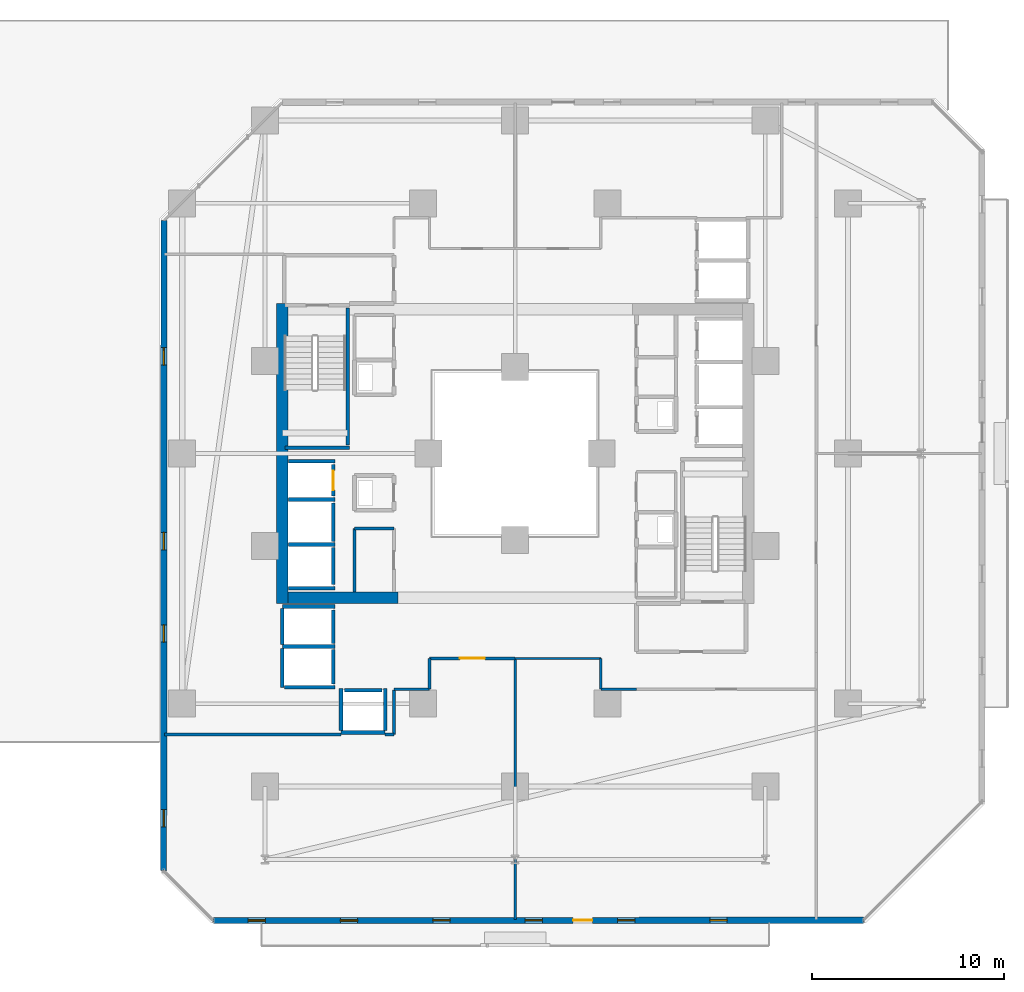
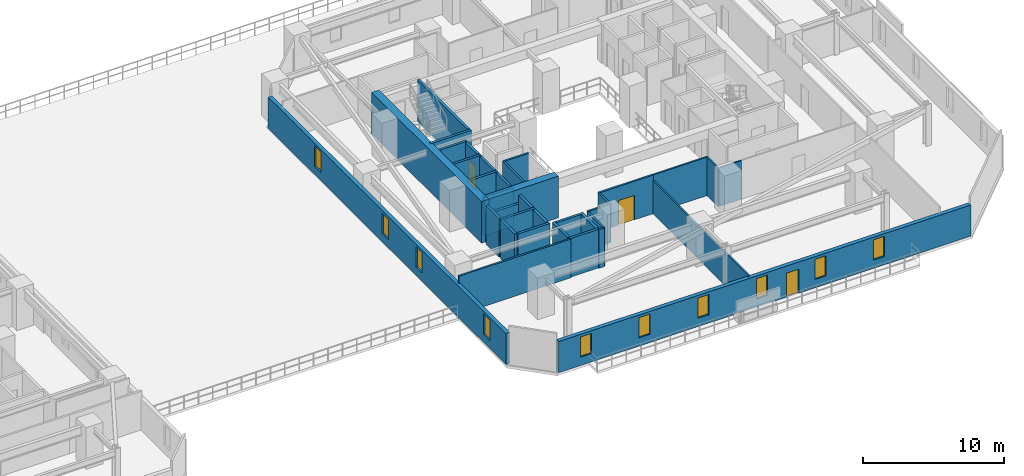
# One storey, part 22 of 34: 36 walls, 10 windows, 3 doors, 13 openings.
"""IFC4 building model written with IfcOpenShell, lengths in metres."""

from ifc_helpers import new_model, si_unit, direction, frame, frame_2d, origin, place, context, subcontext, project, spatial, rectangle, extrude, material, layer, layer_set, type_object, element, fill, save


model = new_model("IFC4")

# Units and contexts
model_context = context("Model", 3, precision=1e-05, world=origin(), true_north=direction((0.0, 1.0)))
body_context = subcontext(model_context, "Body", "Model", "MODEL_VIEW")
ifc_project = project(units=[si_unit("LENGTHUNIT", "METRE"), si_unit("AREAUNIT", "SQUARE_METRE"), si_unit("VOLUMEUNIT", "CUBIC_METRE"), si_unit("PLANEANGLEUNIT", "RADIAN"), si_unit("MASSUNIT", "GRAM", prefix="KILO")], contexts=[model_context])

# Site, building, storey
site_placement = place(None, origin())
site = spatial("IfcSite", under=ifc_project, at=site_placement, CompositionType="ELEMENT")
building_placement = place(site_placement, origin())
building = spatial("IfcBuilding", under=site, at=building_placement, Name="Thornwick Lancets Civic Towers", CompositionType="ELEMENT")
storey_placement = place(building_placement, frame((0.0, 0.0, 27.89990234375)))
storey = spatial("IfcBuildingStorey", under=building, at=storey_placement, Name="L06", CompositionType="ELEMENT", Elevation=27.89990234375)

# Wall, opening, door
ifc_material_1 = material(Name="Concrete blockwork C40/50", Category="masonry")
ifc_layer_1 = layer(ifc_material_1, 0.199951171875, Name="Concrete blockwork C40/50")
ifc_layer_set_1 = layer_set([ifc_layer_1], Name="Concrete blockwork C40/50")
wall_type_1 = type_object("IfcWallType", Name="WALL_COMP_200", PredefinedType="STANDARD", material=ifc_layer_set_1)
wall_1_placement = place(storey_placement, frame((79.050048828125, 24.780029296875, 0.0), z_axis=(0.0, 0.0, 1.0), x_axis=(0.0, 1.0, 0.0)))
wall_1 = element("IfcWall", 1, at=wall_1_placement, inside=storey, type_object=wall_type_1, Name="L06 Hoistway Front Wall FL-B2", PredefinedType="STANDARD", context=body_context, shape_type="SweptSolid", body=[
    extrude(rectangle(XDim=1.639892578125, YDim=0.199951171875, at=frame_2d((0.81982421875, 0.0))), origin(), (0.0, 0.0, 1.0), 3.340087890625),
])
opening_1_placement = place(wall_1_placement, frame((0.31005859375, 0.0, 0.0)))
opening_1 = element("IfcOpeningElement", 2, at=opening_1_placement, cuts=wall_1, Name="Opening LD-FL-B2", PredefinedType="OPENING", context=body_context, shape_type="SweptSolid", body=[
    extrude(rectangle(XDim=1.02001953125, YDim=2.06005859375, at=frame_2d((0.510009765625, 1.030029296875))), frame((0.0, 0.10986328125, 0.0), z_axis=(0.0, -1.0, 0.0), x_axis=(1.0, 0.0, 0.0)), (0.0, 0.0, 1.0), 0.219970703125),
])
ifc_material_2 = material(Name="Brushed bronze stainless steel", Category="steel")
door_type_1 = type_object("IfcDoorType", Name="DOOR_LIFT_SLIDE", OperationType="SLIDING_TO_LEFT", PredefinedType="DOOR", material=ifc_material_2)
door_1_placement = place(opening_1_placement, origin())
door_1 = element("IfcDoor", 3, at=door_1_placement, inside=storey, type_object=door_type_1, Name="L06 Sliding Lift Landing Door LD-FL-B2", OperationType="SLIDING_TO_LEFT", OverallHeight=2.06005859375, OverallWidth=1.02001953125, PredefinedType="DOOR", context=body_context, shape_type="SweptSolid", body=[
    extrude(rectangle(XDim=1.02001953125, YDim=2.06005859375, at=frame_2d((0.510009765625, 1.030029296875))), frame((0.0, 0.02490234375, 0.0), z_axis=(0.0, -1.0, 0.0), x_axis=(1.0, 0.0, 0.0)), (0.0, 0.0, 1.0), 0.050048828125),
])
fill(opening_1, door_1)

# Walls
wall_2_placement = place(storey_placement, frame((79.050048828125, 22.429931640625, 0.0), z_axis=(0.0, 0.0, 1.0), x_axis=(0.0, 1.0, 0.0)))
element("IfcWall", 4, at=wall_2_placement, inside=storey, type_object=wall_type_1, Name="L06 Hoistway Front Wall PL-BH2", PredefinedType="STANDARD", context=body_context, shape_type="SweptSolid", body=[
    extrude(rectangle(XDim=1.989990234375, YDim=0.199951171875, at=frame_2d((0.9951171875, 0.0))), origin(), (0.0, 0.0, 1.0), 3.340087890625),
])
wall_3_placement = place(storey_placement, frame((79.050048828125, 20.179931640625, 0.0), z_axis=(0.0, 0.0, 1.0), x_axis=(0.0, 1.0, 0.0)))
element("IfcWall", 5, at=wall_3_placement, inside=storey, type_object=wall_type_1, Name="L06 Hoistway Front Wall PL-BH3", PredefinedType="STANDARD", context=body_context, shape_type="SweptSolid", body=[
    extrude(rectangle(XDim=1.940185546875, YDim=0.199951171875, at=frame_2d((0.97021484375, 0.0))), origin(), (0.0, 0.0, 1.0), 3.340087890625),
])
wall_4_placement = place(storey_placement, frame((79.050048828125, 17.1298828125, 0.0), z_axis=(0.0, 0.0, 1.0), x_axis=(0.0, 1.0, 0.0)))
element("IfcWall", 6, at=wall_4_placement, inside=storey, type_object=wall_type_1, Name="L06 Hoistway Front Wall PL-BM1", PredefinedType="STANDARD", context=body_context, shape_type="SweptSolid", body=[
    extrude(rectangle(XDim=1.740234375, YDim=0.199951171875, at=frame_2d((0.8701171875, 0.0))), origin(), (0.0, 0.0, 1.0), 3.340087890625),
])
wall_5_placement = place(storey_placement, frame((79.050048828125, 15.030029296875, 0.0), z_axis=(0.0, 0.0, 1.0), x_axis=(0.0, 1.0, 0.0)))
element("IfcWall", 7, at=wall_5_placement, inside=storey, type_object=wall_type_1, Name="L06 Hoistway Front Wall PL-BM2", PredefinedType="STANDARD", context=body_context, shape_type="SweptSolid", body=[
    extrude(rectangle(XDim=1.7900390625, YDim=0.199951171875, at=frame_2d((0.89501953125, 0.0))), origin(), (0.0, 0.0, 1.0), 3.340087890625),
])
wall_6_placement = place(storey_placement, frame((79.6298828125, 14.699951171875, 0.0), z_axis=(0.0, 0.0, 1.0), x_axis=(1.0, 0.0, 0.0)))
element("IfcWall", 8, at=wall_6_placement, inside=storey, type_object=wall_type_1, Name="L06 Hoistway Front Wall PL-BM3", PredefinedType="STANDARD", context=body_context, shape_type="SweptSolid", body=[
    extrude(rectangle(XDim=1.940185546875, YDim=0.199951171875, at=frame_2d((0.97021484375, 0.0))), origin(), (0.0, 0.0, 1.0), 3.340087890625),
])
for number, where, z_axis, x_axis, name in (
    (9, (76.7119140625, 26.60009765625, 0.0), (0.0, 0.0, 1.0), (1.0, 0.0, 0.0), "L06 Hoistway Shaft Wall FL-B2 N"),
    (10, (76.7119140625, 24.60009765625, 0.0), (0.0, 0.0, 1.0), (1.0, 0.0, 0.0), "L06 Hoistway Shaft Wall FL-B2 S"),
    (11, (76.7119140625, 22.27490234375, 0.0), (0.0, 0.0, 1.0), (1.0, 0.0, 0.0), "L06 Hoistway Shaft Wall PL-BH2 S"),
    (12, (76.7119140625, 20.0, 0.0), (0.0, 0.0, 1.0), (1.0, 0.0, 0.0), "L06 Hoistway Shaft Wall PL-BH3 S"),
):
    element("IfcWall", number, at=place(storey_placement, frame(where, z_axis=z_axis, x_axis=x_axis)), inside=storey, type_object=wall_type_1, Name=name, PredefinedType="STANDARD", context=body_context, shape_type="SweptSolid", body=[
        extrude(rectangle(XDim=2.43603515625, YDim=0.199951171875, at=frame_2d((1.218017578125, 0.0))), origin(), (0.0, 0.0, 1.0), 3.340087890625),
    ])
wall_7_placement = place(storey_placement, frame((76.402099609375, 19.050048828125, 0.0), z_axis=(0.0, 0.0, 1.0), x_axis=(1.0, 0.0, 0.0)))
element("IfcWall", 13, at=wall_7_placement, inside=storey, type_object=wall_type_1, Name="L06 Hoistway Shaft Wall PL-BM1 N", PredefinedType="STANDARD", context=body_context, shape_type="SweptSolid", body=[
    extrude(rectangle(XDim=2.745849609375, YDim=0.199951171875, at=frame_2d((1.373046875, 0.0))), origin(), (0.0, 0.0, 1.0), 2.545166015625),
])
wall_8_placement = place(storey_placement, frame((76.402099609375, 16.97509765625, 0.0), z_axis=(0.0, 0.0, 1.0), x_axis=(1.0, 0.0, 0.0)))
element("IfcWall", 14, at=wall_8_placement, inside=storey, type_object=wall_type_1, Name="L06 Hoistway Shaft Wall PL-BM1 S", PredefinedType="STANDARD", context=body_context, shape_type="SweptSolid", body=[
    extrude(rectangle(XDim=2.745849609375, YDim=0.199951171875, at=frame_2d((1.373046875, 0.0))), origin(), (0.0, 0.0, 1.0), 3.340087890625),
])
wall_9_placement = place(storey_placement, frame((76.39990234375, 14.85205078125, 0.0), z_axis=(0.0, 0.0, 1.0), x_axis=(0.0, 1.0, 0.0)))
element("IfcWall", 15, at=wall_9_placement, inside=storey, type_object=wall_type_1, Name="L06 Hoistway Shaft Wall PL-BM1 W", PredefinedType="STANDARD", context=body_context, shape_type="SweptSolid", body=[
    extrude(rectangle(XDim=2.015869140625, YDim=0.199951171875, at=frame_2d((1.0078125, 0.0))), origin(), (0.0, 0.0, 1.0), 3.340087890625),
])
wall_10_placement = place(storey_placement, frame((76.39990234375, 17.08203125, 0.0), z_axis=(0.0, 0.0, 1.0), x_axis=(0.0, 1.0, 0.0)))
element("IfcWall", 16, at=wall_10_placement, inside=storey, type_object=wall_type_1, Name="L06 Hoistway Shaft Wall PL-BM1 W", PredefinedType="STANDARD", context=body_context, shape_type="SweptSolid", body=[
    extrude(rectangle(XDim=1.85595703125, YDim=0.199951171875, at=frame_2d((0.927978515625, 0.0))), origin(), (0.0, 0.0, 1.0), 3.340087890625),
])
wall_11_placement = place(storey_placement, frame((76.511962890625, 14.85009765625, 0.0), z_axis=(0.0, 0.0, 1.0), x_axis=(1.0, 0.0, 0.0)))
element("IfcWall", 17, at=wall_11_placement, inside=storey, type_object=wall_type_1, Name="L06 Hoistway Shaft Wall PL-BM2 S", PredefinedType="STANDARD", context=body_context, shape_type="SweptSolid", body=[
    extrude(rectangle(XDim=2.635986328125, YDim=0.199951171875, at=frame_2d((1.31787109375, 0.0))), origin(), (0.0, 0.0, 1.0), 3.340087890625),
])
wall_12_placement = place(storey_placement, frame((79.451904296875, 12.5, 0.0), z_axis=(0.0, 0.0, 1.0), x_axis=(1.0, 0.0, 0.0)))
element("IfcWall", 18, at=wall_12_placement, inside=storey, type_object=wall_type_1, Name="L06 Hoistway Shaft Wall PL-BM3 S", PredefinedType="STANDARD", context=body_context, shape_type="SweptSolid", body=[
    extrude(rectangle(XDim=2.296142578125, YDim=0.199951171875, at=frame_2d((1.14794921875, 0.0))), origin(), (0.0, 0.0, 1.0), 3.340087890625),
])
for number, where, z_axis, x_axis, name in (
    (19, (81.75, 12.612060546875, 0.0), (0.0, 0.0, 1.0), (0.0, 1.0, 0.0), "L06 Hoistway Shaft Wall PL-BM3 E"),
    (20, (79.449951171875, 12.612060546875, 0.0), (0.0, 0.0, 1.0), (0.0, 1.0, 0.0), "L06 Hoistway Shaft Wall PL-BM3 W"),
):
    element("IfcWall", number, at=place(storey_placement, frame(where, z_axis=z_axis, x_axis=x_axis)), inside=storey, type_object=wall_type_1, Name=name, PredefinedType="STANDARD", context=body_context, shape_type="SweptSolid", body=[
        extrude(rectangle(XDim=2.18603515625, YDim=0.199951171875, at=frame_2d((1.093017578125, 0.0))), origin(), (0.0, 0.0, 1.0), 3.340087890625),
    ])
ifc_material_3 = material(Name="Concrete C60/75", Category="concrete")
ifc_layer_2 = layer(ifc_material_3, 0.60009765625, Name="Concrete C60/75")
ifc_layer_set_2 = layer_set([ifc_layer_2], Name="Concrete C60/75")
wall_type_2 = type_object("IfcWallType", Name="WALL_CORE_600", PredefinedType="SHEAR", material=ifc_layer_set_2)
wall_13_placement = place(storey_placement, frame((76.39990234375, 19.199951171875, 0.0), z_axis=(0.0, 0.0, 1.0), x_axis=(0.0, 1.0, 0.0)))
element("IfcWall", 21, at=wall_13_placement, inside=storey, type_object=wall_type_2, Name="L06 Split Core B2 Shear Wall W", PredefinedType="SHEAR", context=body_context, shape_type="SweptSolid", body=[
    extrude(rectangle(XDim=15.60009765625, YDim=0.60009765625, at=frame_2d((7.800048828125, 0.0))), origin(), (0.0, 0.0, 1.0), 3.60009765625),
])
wall_14_placement = place(storey_placement, frame((76.699951171875, 19.5, 0.0), z_axis=(0.0, 0.0, 1.0), x_axis=(1.0, 0.0, 0.0)))
element("IfcWall", 22, at=wall_14_placement, inside=storey, type_object=wall_type_2, Name="L06 Split Core B2 Shear Wall S", PredefinedType="SHEAR", context=body_context, shape_type="SweptSolid", body=[
    extrude(rectangle(XDim=5.699951171875, YDim=0.60009765625, at=frame_2d((2.85009765625, 0.0))), origin(), (0.0, 0.0, 1.0), 3.60009765625),
])

# Wall, openings, door, windows
ifc_material_4 = material(Name="Insulated buff terracotta rainscreen on concrete C40/50", Category="masonry")
ifc_layer_3 = layer(ifc_material_4, 0.320068359375, Name="Insulated buff terracotta rainscreen on concrete C40/50")
ifc_layer_set_3 = layer_set([ifc_layer_3], Name="Insulated buff terracotta rainscreen on concrete C40/50")
wall_type_3 = type_object("IfcWallType", Name="WALL_EXT_TERRA_320", PredefinedType="STANDARD", material=ifc_layer_set_3)
wall_15_placement = place(storey_placement, frame((72.81884765625, 2.735107421875, 0.0), z_axis=(0.0, 0.0, 1.0), x_axis=(0.999999942296, 0.000339718087, 0.0)))
wall_15 = element("IfcWall", 23, at=wall_15_placement, inside=storey, type_object=wall_type_3, Name="L06 Tower B Terracotta Facade Wall E0", PredefinedType="STANDARD", context=body_context, shape_type="SweptSolid", body=[
    extrude(rectangle(XDim=33.77685546875, YDim=0.320068359375, at=frame_2d((16.888427734375, 0.0))), origin(), (0.0, 0.0, 1.0), 2.7001953125),
])
opening_2_placement = place(wall_15_placement, frame((18.6884765625, 0.0, 0.0)))
opening_2 = element("IfcOpeningElement", 24, at=opening_2_placement, cuts=wall_15, Name="Opening D-BL-L06-BS", PredefinedType="OPENING", context=body_context, shape_type="SweptSolid", body=[
    extrude(rectangle(XDim=1.0, YDim=2.080078125, at=frame_2d((0.5, 1.0400390625))), frame((0.0, 0.169921875, 0.0), z_axis=(0.0, -1.0, 0.0), x_axis=(1.0, 0.0, 0.0)), (0.0, 0.0, 1.0), 0.340087890625),
])
opening_3_placement = place(wall_15_placement, frame((1.800048828125, 0.0, 0.719970703125)))
opening_3 = element("IfcOpeningElement", 25, at=opening_3_placement, cuts=wall_15, Name="Opening WL-01", PredefinedType="OPENING", context=body_context, shape_type="SweptSolid", body=[
    extrude(rectangle(XDim=0.89990234375, YDim=1.75, at=frame_2d((0.449951171875, 0.875))), frame((0.0, 0.169921875, 0.0), z_axis=(0.0, -1.0, 0.0), x_axis=(1.0, 0.0, 0.0)), (0.0, 0.0, 1.0), 0.340087890625),
])
opening_4_placement = place(wall_15_placement, frame((6.60009765625, 0.0, 0.719970703125)))
opening_4 = element("IfcOpeningElement", 26, at=opening_4_placement, cuts=wall_15, Name="Opening WL-01", PredefinedType="OPENING", context=body_context, shape_type="SweptSolid", body=[
    extrude(rectangle(XDim=0.89990234375, YDim=1.75, at=frame_2d((0.449951171875, 0.875))), frame((0.0, 0.169921875, 0.0), z_axis=(0.0, -1.0, 0.0), x_axis=(1.0, 0.0, 0.0)), (0.0, 0.0, 1.0), 0.340087890625),
])
opening_5_placement = place(wall_15_placement, frame((11.39990234375, 0.0, 0.719970703125)))
opening_5 = element("IfcOpeningElement", 27, at=opening_5_placement, cuts=wall_15, Name="Opening WL-01", PredefinedType="OPENING", context=body_context, shape_type="SweptSolid", body=[
    extrude(rectangle(XDim=0.89990234375, YDim=1.75, at=frame_2d((0.449951171875, 0.875))), frame((0.0, 0.169921875, 0.0), z_axis=(0.0, -1.0, 0.0), x_axis=(1.0, 0.0, 0.0)), (0.0, 0.0, 1.0), 0.340087890625),
])
opening_6_placement = place(wall_15_placement, frame((16.199951171875, 0.0, 0.719970703125)))
opening_6 = element("IfcOpeningElement", 28, at=opening_6_placement, cuts=wall_15, Name="Opening WL-01", PredefinedType="OPENING", context=body_context, shape_type="SweptSolid", body=[
    extrude(rectangle(XDim=0.89990234375, YDim=1.75, at=frame_2d((0.449951171875, 0.875))), frame((0.0, 0.169921875, 0.0), z_axis=(0.0, -1.0, 0.0), x_axis=(1.0, 0.0, 0.0)), (0.0, 0.0, 1.0), 0.340087890625),
])
opening_7_placement = place(wall_15_placement, frame((21.0, 0.0, 0.719970703125)))
opening_7 = element("IfcOpeningElement", 29, at=opening_7_placement, cuts=wall_15, Name="Opening WL-01", PredefinedType="OPENING", context=body_context, shape_type="SweptSolid", body=[
    extrude(rectangle(XDim=0.89990234375, YDim=1.75, at=frame_2d((0.449951171875, 0.875))), frame((0.0, 0.169921875, 0.0), z_axis=(0.0, -1.0, 0.0), x_axis=(1.0, 0.0, 0.0)), (0.0, 0.0, 1.0), 0.340087890625),
])
opening_8_placement = place(wall_15_placement, frame((25.800048828125, 0.0, 0.719970703125)))
opening_8 = element("IfcOpeningElement", 30, at=opening_8_placement, cuts=wall_15, Name="Opening WL-01", PredefinedType="OPENING", context=body_context, shape_type="SweptSolid", body=[
    extrude(rectangle(XDim=0.89990234375, YDim=1.75, at=frame_2d((0.449951171875, 0.875))), frame((0.0, 0.169921875, 0.0), z_axis=(0.0, -1.0, 0.0), x_axis=(1.0, 0.0, 0.0)), (0.0, 0.0, 1.0), 0.340087890625),
])
ifc_material_5 = material(Name="Thermally broken glazed loggia doorset")
door_type_2 = type_object("IfcDoorType", Name="DOOR_BALC_1000", OperationType="NOTDEFINED", PredefinedType="DOOR", material=ifc_material_5)
door_2_placement = place(opening_2_placement, origin())
door_2 = element("IfcDoor", 31, at=door_2_placement, inside=storey, type_object=door_type_2, Name="L06 Tower B Loggia Balcony Door S", OperationType="SINGLE_SWING_LEFT", OverallHeight=2.080078125, OverallWidth=1.0, PredefinedType="DOOR", context=body_context, shape_type="SweptSolid", body=[
    extrude(rectangle(XDim=1.0, YDim=2.080078125, at=frame_2d((0.5, 1.0400390625))), frame((0.0, 0.02490234375, 0.0), z_axis=(0.0, -1.0, 0.0), x_axis=(1.0, 0.0, 0.0)), (0.0, 0.0, 1.0), 0.050048828125),
])
fill(opening_2, door_2)
ifc_material_6 = material(Name="Clear low-e double glazing in bronze frame", Category="glass")
window_type = type_object("IfcWindowType", Name="WIN_LANCET_900", PartitioningType="SINGLE_PANEL", PredefinedType="WINDOW", material=ifc_material_6)
window_1_placement = place(opening_3_placement, origin())
window_1 = element("IfcWindow", 32, at=window_1_placement, inside=storey, type_object=window_type, Name="L06 Tower B Staggered Lancet Window E0-1", OverallHeight=1.75, OverallWidth=0.89990234375, PartitioningType="SINGLE_PANEL", PredefinedType="WINDOW", context=body_context, shape_type="SweptSolid", body=[
    extrude(rectangle(XDim=0.89990234375, YDim=1.75, at=frame_2d((0.449951171875, 0.875))), frame((0.0, 0.030029296875, 0.0), z_axis=(0.0, -1.0, 0.0), x_axis=(1.0, 0.0, 0.0)), (0.0, 0.0, 1.0), 0.06005859375),
])
fill(opening_3, window_1)
window_2_placement = place(opening_4_placement, origin())
window_2 = element("IfcWindow", 33, at=window_2_placement, inside=storey, type_object=window_type, Name="L06 Tower B Staggered Lancet Window E0-2", OverallHeight=1.75, OverallWidth=0.89990234375, PartitioningType="SINGLE_PANEL", PredefinedType="WINDOW", context=body_context, shape_type="SweptSolid", body=[
    extrude(rectangle(XDim=0.89990234375, YDim=1.75, at=frame_2d((0.449951171875, 0.875))), frame((0.0, 0.030029296875, 0.0), z_axis=(0.0, -1.0, 0.0), x_axis=(1.0, 0.0, 0.0)), (0.0, 0.0, 1.0), 0.06005859375),
])
fill(opening_4, window_2)
window_3_placement = place(opening_5_placement, origin())
window_3 = element("IfcWindow", 34, at=window_3_placement, inside=storey, type_object=window_type, Name="L06 Tower B Staggered Lancet Window E0-3", OverallHeight=1.75, OverallWidth=0.89990234375, PartitioningType="SINGLE_PANEL", PredefinedType="WINDOW", context=body_context, shape_type="SweptSolid", body=[
    extrude(rectangle(XDim=0.89990234375, YDim=1.75, at=frame_2d((0.449951171875, 0.875))), frame((0.0, 0.030029296875, 0.0), z_axis=(0.0, -1.0, 0.0), x_axis=(1.0, 0.0, 0.0)), (0.0, 0.0, 1.0), 0.06005859375),
])
fill(opening_5, window_3)
window_4_placement = place(opening_6_placement, origin())
window_4 = element("IfcWindow", 35, at=window_4_placement, inside=storey, type_object=window_type, Name="L06 Tower B Staggered Lancet Window E0-4", OverallHeight=1.75, OverallWidth=0.89990234375, PartitioningType="SINGLE_PANEL", PredefinedType="WINDOW", context=body_context, shape_type="SweptSolid", body=[
    extrude(rectangle(XDim=0.89990234375, YDim=1.75, at=frame_2d((0.449951171875, 0.875))), frame((0.0, 0.030029296875, 0.0), z_axis=(0.0, -1.0, 0.0), x_axis=(1.0, 0.0, 0.0)), (0.0, 0.0, 1.0), 0.06005859375),
])
fill(opening_6, window_4)
window_5_placement = place(opening_7_placement, origin())
window_5 = element("IfcWindow", 36, at=window_5_placement, inside=storey, type_object=window_type, Name="L06 Tower B Staggered Lancet Window E0-5", OverallHeight=1.75, OverallWidth=0.89990234375, PartitioningType="SINGLE_PANEL", PredefinedType="WINDOW", context=body_context, shape_type="SweptSolid", body=[
    extrude(rectangle(XDim=0.89990234375, YDim=1.75, at=frame_2d((0.449951171875, 0.875))), frame((0.0, 0.030029296875, 0.0), z_axis=(0.0, -1.0, 0.0), x_axis=(1.0, 0.0, 0.0)), (0.0, 0.0, 1.0), 0.06005859375),
])
fill(opening_7, window_5)
window_6_placement = place(opening_8_placement, origin())
window_6 = element("IfcWindow", 37, at=window_6_placement, inside=storey, type_object=window_type, Name="L06 Tower B Staggered Lancet Window E0-6", OverallHeight=1.75, OverallWidth=0.89990234375, PartitioningType="SINGLE_PANEL", PredefinedType="WINDOW", context=body_context, shape_type="SweptSolid", body=[
    extrude(rectangle(XDim=0.89990234375, YDim=1.75, at=frame_2d((0.449951171875, 0.875))), frame((0.0, 0.030029296875, 0.0), z_axis=(0.0, -1.0, 0.0), x_axis=(1.0, 0.0, 0.0)), (0.0, 0.0, 1.0), 0.06005859375),
])
fill(opening_8, window_6)

# Wall, openings, windows
wall_16_placement = place(storey_placement, frame((70.24658203125, 39.095703125, 0.0), z_axis=(0.0, 0.0, 1.0), x_axis=(-0.000339718087, -0.999999942296, 0.0)))
wall_16 = element("IfcWall", 38, at=wall_16_placement, inside=storey, type_object=wall_type_3, Name="L06 Tower B Terracotta Facade Wall E6", PredefinedType="STANDARD", context=body_context, shape_type="SweptSolid", body=[
    extrude(rectangle(XDim=33.77685546875, YDim=0.320068359375, at=frame_2d((16.888427734375, 0.0))), origin(), (0.0, 0.0, 1.0), 2.7001953125),
])
opening_9_placement = place(wall_16_placement, frame((6.60009765625, 0.0, 0.719970703125)))
opening_9 = element("IfcOpeningElement", 39, at=opening_9_placement, cuts=wall_16, Name="Opening WL-01", PredefinedType="OPENING", context=body_context, shape_type="SweptSolid", body=[
    extrude(rectangle(XDim=0.89990234375, YDim=1.75, at=frame_2d((0.449951171875, 0.875))), frame((0.0, 0.169921875, 0.0), z_axis=(0.0, -1.0, 0.0), x_axis=(1.0, 0.0, 0.0)), (0.0, 0.0, 1.0), 0.340087890625),
])
opening_10_placement = place(wall_16_placement, frame((16.199951171875, 0.0, 0.719970703125)))
opening_10 = element("IfcOpeningElement", 40, at=opening_10_placement, cuts=wall_16, Name="Opening WL-01", PredefinedType="OPENING", context=body_context, shape_type="SweptSolid", body=[
    extrude(rectangle(XDim=0.89990234375, YDim=1.75, at=frame_2d((0.449951171875, 0.875))), frame((0.0, 0.169921875, 0.0), z_axis=(0.0, -1.0, 0.0), x_axis=(1.0, 0.0, 0.0)), (0.0, 0.0, 1.0), 0.340087890625),
])
opening_11_placement = place(wall_16_placement, frame((21.0, 0.0, 0.719970703125)))
opening_11 = element("IfcOpeningElement", 41, at=opening_11_placement, cuts=wall_16, Name="Opening WL-01", PredefinedType="OPENING", context=body_context, shape_type="SweptSolid", body=[
    extrude(rectangle(XDim=0.89990234375, YDim=1.75, at=frame_2d((0.449951171875, 0.875))), frame((0.0, 0.169921875, 0.0), z_axis=(0.0, -1.0, 0.0), x_axis=(1.0, 0.0, 0.0)), (0.0, 0.0, 1.0), 0.340087890625),
])
opening_12_placement = place(wall_16_placement, frame((30.60009765625, 0.0, 0.719970703125)))
opening_12 = element("IfcOpeningElement", 42, at=opening_12_placement, cuts=wall_16, Name="Opening WL-01", PredefinedType="OPENING", context=body_context, shape_type="SweptSolid", body=[
    extrude(rectangle(XDim=0.89990234375, YDim=1.75, at=frame_2d((0.449951171875, 0.875))), frame((0.0, 0.169921875, 0.0), z_axis=(0.0, -1.0, 0.0), x_axis=(1.0, 0.0, 0.0)), (0.0, 0.0, 1.0), 0.340087890625),
])
window_7_placement = place(opening_9_placement, origin())
window_7 = element("IfcWindow", 43, at=window_7_placement, inside=storey, type_object=window_type, Name="L06 Tower B Staggered Lancet Window E6-1", OverallHeight=1.75, OverallWidth=0.89990234375, PartitioningType="SINGLE_PANEL", PredefinedType="WINDOW", context=body_context, shape_type="SweptSolid", body=[
    extrude(rectangle(XDim=0.89990234375, YDim=1.75, at=frame_2d((0.449951171875, 0.875))), frame((0.0, 0.030029296875, 0.0), z_axis=(0.0, -1.0, 0.0), x_axis=(1.0, 0.0, 0.0)), (0.0, 0.0, 1.0), 0.06005859375),
])
fill(opening_9, window_7)
window_8_placement = place(opening_10_placement, origin())
window_8 = element("IfcWindow", 44, at=window_8_placement, inside=storey, type_object=window_type, Name="L06 Tower B Staggered Lancet Window E6-2", OverallHeight=1.75, OverallWidth=0.89990234375, PartitioningType="SINGLE_PANEL", PredefinedType="WINDOW", context=body_context, shape_type="SweptSolid", body=[
    extrude(rectangle(XDim=0.89990234375, YDim=1.75, at=frame_2d((0.449951171875, 0.875))), frame((0.0, 0.030029296875, 0.0), z_axis=(0.0, -1.0, 0.0), x_axis=(1.0, 0.0, 0.0)), (0.0, 0.0, 1.0), 0.06005859375),
])
fill(opening_10, window_8)
window_9_placement = place(opening_11_placement, origin())
window_9 = element("IfcWindow", 45, at=window_9_placement, inside=storey, type_object=window_type, Name="L06 Tower B Staggered Lancet Window E6-3", OverallHeight=1.75, OverallWidth=0.89990234375, PartitioningType="SINGLE_PANEL", PredefinedType="WINDOW", context=body_context, shape_type="SweptSolid", body=[
    extrude(rectangle(XDim=0.89990234375, YDim=1.75, at=frame_2d((0.449951171875, 0.875))), frame((0.0, 0.030029296875, 0.0), z_axis=(0.0, -1.0, 0.0), x_axis=(1.0, 0.0, 0.0)), (0.0, 0.0, 1.0), 0.06005859375),
])
fill(opening_11, window_9)
window_10_placement = place(opening_12_placement, origin())
window_10 = element("IfcWindow", 46, at=window_10_placement, inside=storey, type_object=window_type, Name="L06 Tower B Staggered Lancet Window E6-4", OverallHeight=1.75, OverallWidth=0.89990234375, PartitioningType="SINGLE_PANEL", PredefinedType="WINDOW", context=body_context, shape_type="SweptSolid", body=[
    extrude(rectangle(XDim=0.89990234375, YDim=1.75, at=frame_2d((0.449951171875, 0.875))), frame((0.0, 0.030029296875, 0.0), z_axis=(0.0, -1.0, 0.0), x_axis=(1.0, 0.0, 0.0)), (0.0, 0.0, 1.0), 0.06005859375),
])
fill(opening_12, window_10)

# Walls
ifc_material_7 = material(Name="Acoustic gypsum board partition")
ifc_layer_4 = layer(ifc_material_7, 0.1201171875, Name="Acoustic gypsum board partition")
ifc_layer_set_4 = layer_set([ifc_layer_4], Name="Acoustic gypsum board partition")
wall_type_4 = type_object("IfcWallType", Name="WALL_PART_120", PredefinedType="PARTITIONING", material=ifc_layer_set_4)
wall_17_placement = place(storey_placement, frame((92.949951171875, 16.35009765625, 0.0), z_axis=(0.0, 0.0, 1.0), x_axis=(0.0, -1.0, 0.0)))
element("IfcWall", 47, at=wall_17_placement, inside=storey, type_object=wall_type_4, Name="L06 Partition L06-B-W1 E1", PredefinedType="PARTITIONING", context=body_context, shape_type="SweptSolid", body=[
    extrude(rectangle(XDim=1.60009765625, YDim=0.1201171875, at=frame_2d((0.800048828125, 0.0))), origin(), (0.0, 0.0, 1.0), 3.340087890625),
])
wall_18_placement = place(storey_placement, frame((92.949951171875, 14.75, 0.0), z_axis=(0.0, 0.0, 1.0), x_axis=(1.0, 0.0, 0.0)))
element("IfcWall", 48, at=wall_18_placement, inside=storey, type_object=wall_type_4, Name="L06 Partition L06-B-W1 E2", PredefinedType="PARTITIONING", context=body_context, shape_type="SweptSolid", body=[
    extrude(rectangle(XDim=1.85009765625, YDim=0.1201171875, at=frame_2d((0.925048828125, 0.0))), origin(), (0.0, 0.0, 1.0), 3.340087890625),
])
wall_19_placement = place(storey_placement, frame((88.5, 2.780029296875, 0.0), z_axis=(0.0, 0.0, 1.0), x_axis=(0.0, 1.0, 0.0)))
element("IfcWall", 49, at=wall_19_placement, inside=storey, type_object=wall_type_4, Name="L06 Partition L06-B-W1 E6", PredefinedType="PARTITIONING", context=body_context, shape_type="SweptSolid", body=[
    extrude(rectangle(XDim=13.570068359375, YDim=0.1201171875, at=frame_2d((6.78515625, 0.0))), origin(), (0.0, 0.0, 1.0), 2.8779296875),
])
wall_20_placement = place(storey_placement, frame((88.5, 16.35009765625, 0.0), z_axis=(0.0, 0.0, 1.0), x_axis=(1.0, 0.0, 0.0)))
element("IfcWall", 50, at=wall_20_placement, inside=storey, type_object=wall_type_4, Name="L06 Partition L06-B-W1 E7", PredefinedType="PARTITIONING", context=body_context, shape_type="SweptSolid", body=[
    extrude(rectangle(XDim=4.449951171875, YDim=0.1201171875, at=frame_2d((2.22509765625, 0.0))), origin(), (0.0, 0.0, 1.0), 3.340087890625),
])
ifc_material_8 = material(Name="Twin-stud acoustic gypsum board")
ifc_layer_5 = layer(ifc_material_8, 0.14990234375, Name="Twin-stud acoustic gypsum board")
ifc_layer_set_5 = layer_set([ifc_layer_5], Name="Twin-stud acoustic gypsum board")
wall_type_5 = type_object("IfcWallType", Name="WALL_PART_150", PredefinedType="PARTITIONING", material=ifc_layer_set_5)
wall_21_placement = place(storey_placement, frame((82.199951171875, 23.10009765625, 0.0), z_axis=(0.0, 0.0, 1.0), x_axis=(-1.0, 0.0, 0.0)))
element("IfcWall", 51, at=wall_21_placement, inside=storey, type_object=wall_type_5, Name="L06 Partition L06-B-MWC E3", PredefinedType="PARTITIONING", context=body_context, shape_type="SweptSolid", body=[
    extrude(rectangle(XDim=2.050048828125, YDim=0.14990234375, at=frame_2d((1.02490234375, 0.0))), origin(), (0.0, 0.0, 1.0), 3.340087890625),
])
wall_22_placement = place(storey_placement, frame((80.14990234375, 23.10009765625, 0.0), z_axis=(0.0, 0.0, 1.0), x_axis=(0.0, -1.0, 0.0)))
element("IfcWall", 52, at=wall_22_placement, inside=storey, type_object=wall_type_5, Name="L06 Partition L06-B-MWC E4", PredefinedType="PARTITIONING", context=body_context, shape_type="SweptSolid", body=[
    extrude(rectangle(XDim=3.300048828125, YDim=0.14990234375, at=frame_2d((1.64990234375, 0.0))), origin(), (0.0, 0.0, 1.0), 3.340087890625),
])
wall_23_placement = place(storey_placement, frame((82.199951171875, 14.75, 0.0), z_axis=(0.0, 0.0, 1.0), x_axis=(1.0, 0.0, 0.0)))
element("IfcWall", 53, at=wall_23_placement, inside=storey, type_object=wall_type_5, Name="L06 Partition L06-B-W2 E2", PredefinedType="PARTITIONING", context=body_context, shape_type="SweptSolid", body=[
    extrude(rectangle(XDim=1.85009765625, YDim=0.14990234375, at=frame_2d((0.925048828125, 0.0))), origin(), (0.0, 0.0, 1.0), 3.340087890625),
])
wall_24_placement = place(storey_placement, frame((84.050048828125, 14.75, 0.0), z_axis=(0.0, 0.0, 1.0), x_axis=(0.0, 1.0, 0.0)))
element("IfcWall", 54, at=wall_24_placement, inside=storey, type_object=wall_type_5, Name="L06 Partition L06-B-W2 E3", PredefinedType="PARTITIONING", context=body_context, shape_type="SweptSolid", body=[
    extrude(rectangle(XDim=1.60009765625, YDim=0.14990234375, at=frame_2d((0.800048828125, 0.0))), origin(), (0.0, 0.0, 1.0), 3.340087890625),
])

# Wall, opening, door
wall_25_placement = place(storey_placement, frame((84.050048828125, 16.35009765625, 0.0), z_axis=(0.0, 0.0, 1.0), x_axis=(1.0, 0.0, 0.0)))
wall_25 = element("IfcWall", 55, at=wall_25_placement, inside=storey, type_object=wall_type_5, Name="L06 Partition L06-B-W2 E4", PredefinedType="PARTITIONING", context=body_context, shape_type="SweptSolid", body=[
    extrude(rectangle(XDim=4.449951171875, YDim=0.14990234375, at=frame_2d((2.22509765625, 0.0))), origin(), (0.0, 0.0, 1.0), 3.340087890625),
])
opening_13_placement = place(wall_25_placement, frame((1.574951171875, 0.0, 0.0)))
opening_13 = element("IfcOpeningElement", 56, at=opening_13_placement, cuts=wall_25, Name="Opening D-L06-0352", PredefinedType="OPENING", context=body_context, shape_type="SweptSolid", body=[
    extrude(rectangle(XDim=1.300048828125, YDim=2.1201171875, at=frame_2d((0.64990234375, 1.06005859375))), frame((0.0, 0.0849609375, 0.0), z_axis=(0.0, -1.0, 0.0), x_axis=(1.0, 0.0, 0.0)), (0.0, 0.0, 1.0), 0.169921875),
])
ifc_material_9 = material(Name="Acoustic oak leaf-and-a-half doorset")
door_type_3 = type_object("IfcDoorType", Name="DOOR_MEET_1300", OperationType="DOUBLE_DOOR_SINGLE_SWING", PredefinedType="DOOR", material=ifc_material_9)
door_3_placement = place(opening_13_placement, origin())
door_3 = element("IfcDoor", 57, at=door_3_placement, inside=storey, type_object=door_type_3, Name="L06 Tower B Policy Briefing Room W2 Door", OperationType="DOUBLE_DOOR_SINGLE_SWING", OverallHeight=2.1201171875, OverallWidth=1.300048828125, PredefinedType="DOOR", context=body_context, shape_type="SweptSolid", body=[
    extrude(rectangle(XDim=1.300048828125, YDim=2.1201171875, at=frame_2d((0.64990234375, 1.06005859375))), frame((0.0, 0.02490234375, 0.0), z_axis=(0.0, -1.0, 0.0), x_axis=(1.0, 0.0, 0.0)), (0.0, 0.0, 1.0), 0.050048828125),
])
fill(opening_13, door_3)

# Walls
wall_26_placement = place(storey_placement, frame((70.280029296875, 12.39990234375, 0.0), z_axis=(0.0, 0.0, 1.0), x_axis=(1.0, 0.0, 0.0)))
element("IfcWall", 58, at=wall_26_placement, inside=storey, type_object=wall_type_5, Name="L06 Partition L06-B-W2 E9", PredefinedType="PARTITIONING", context=body_context, shape_type="SweptSolid", body=[
    extrude(rectangle(XDim=9.171875, YDim=0.14990234375, at=frame_2d((4.5859375, 0.0))), origin(), (0.0, 0.0, 1.0), 3.340087890625),
])
wall_27_placement = place(storey_placement, frame((81.748046875, 12.39990234375, 0.0), z_axis=(0.0, 0.0, 1.0), x_axis=(1.0, 0.0, 0.0)))
element("IfcWall", 59, at=wall_27_placement, inside=storey, type_object=wall_type_5, Name="L06 Partition L06-B-W2 E9", PredefinedType="PARTITIONING", context=body_context, shape_type="SweptSolid", body=[
    extrude(rectangle(XDim=0.451904296875, YDim=0.14990234375, at=frame_2d((0.22607421875, 0.0))), origin(), (0.0, 0.0, 1.0), 3.340087890625),
])
wall_28_placement = place(storey_placement, frame((82.199951171875, 12.39990234375, 0.0), z_axis=(0.0, 0.0, 1.0), x_axis=(0.0, 1.0, 0.0)))
element("IfcWall", 60, at=wall_28_placement, inside=storey, type_object=wall_type_5, Name="L06 Partition L06-B-W2 E10", PredefinedType="PARTITIONING", context=body_context, shape_type="SweptSolid", body=[
    extrude(rectangle(XDim=2.300048828125, YDim=0.14990234375, at=frame_2d((1.14990234375, 0.0))), origin(), (0.0, 0.0, 1.0), 3.340087890625),
])
ifc_material_10 = material(Name="Concrete C40/50", Category="concrete")
ifc_layer_6 = layer(ifc_material_10, 0.199951171875, Name="Concrete C40/50")
ifc_layer_set_6 = layer_set([ifc_layer_6], Name="Concrete C40/50")
wall_type_6 = type_object("IfcWallType", Name="WALL_SHAFT_200", PredefinedType="SHEAR", material=ifc_layer_set_6)
wall_29_placement = place(storey_placement, frame((79.89990234375, 27.300048828125, 0.0), z_axis=(0.0, 0.0, 1.0), x_axis=(-1.0, 0.0, 0.0)))
element("IfcWall", 61, at=wall_29_placement, inside=storey, type_object=wall_type_6, Name="L06 ST-B2 Fire Stair Core Wall FAR", PredefinedType="SHEAR", context=body_context, shape_type="SweptSolid", body=[
    extrude(rectangle(XDim=3.349853515625, YDim=0.199951171875, at=frame_2d((1.6748046875, 0.0))), origin(), (0.0, 0.0, 1.0), 3.60009765625),
])
wall_30_placement = place(storey_placement, frame((79.797119140625, 27.449951171875, 0.0), z_axis=(0.0, 0.0, 1.0), x_axis=(0.0, 1.0, 0.0)))
element("IfcWall", 62, at=wall_30_placement, inside=storey, type_object=wall_type_6, Name="L06 ST-B2 Fire Stair Core Wall RIGHT", PredefinedType="SHEAR", context=body_context, shape_type="SweptSolid", body=[
    extrude(rectangle(XDim=7.10009765625, YDim=0.199951171875, at=frame_2d((3.550048828125, 0.0))), origin(), (0.0, 0.0, 1.0), 3.60009765625),
])

save(model, "model.ifc")
